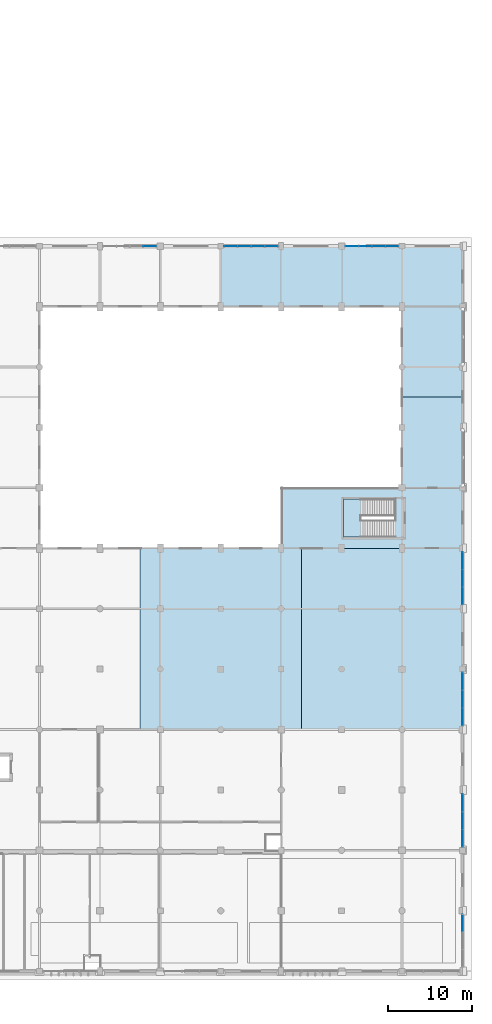
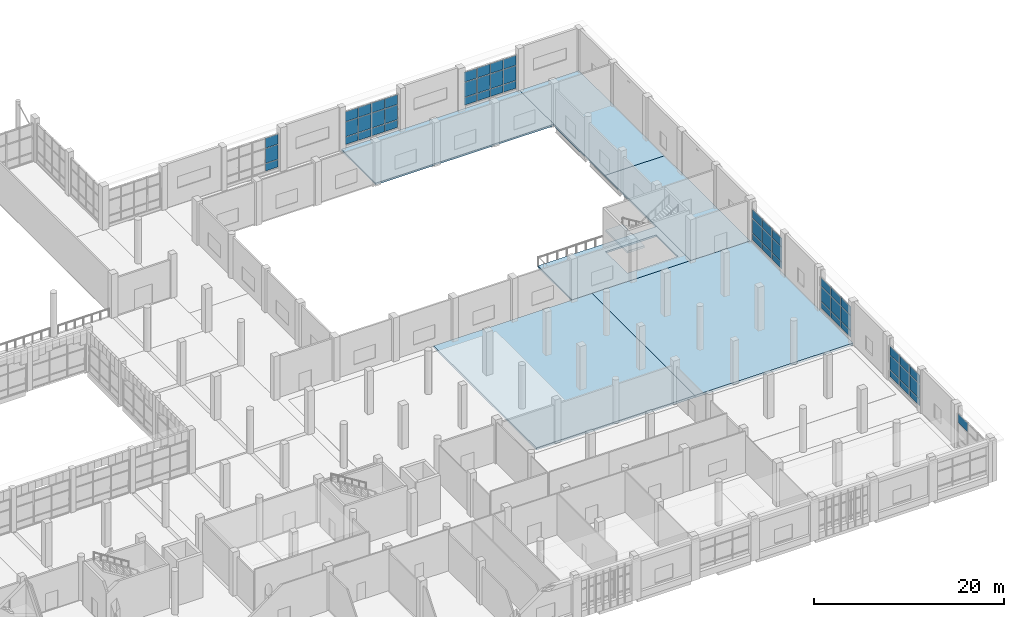
# One storey, part 43 of 80: 55 plates, 7 slabs, 8 elements without a shape of their own.
"""IFC4 building model written with IfcOpenShell, lengths in metres."""

import ifcopenshell
import ifcopenshell.guid

model = None  # the IFC model being written
_history = None  # IfcOwnerHistory: only IFC2X3 demands one
_inside = {}  # id of a spatial element -> (the spatial element, [elements in it])
_under = {}  # id of a project, library or spatial element -> (it, [spatial elements below it])
_declared = {}  # id of a project -> (the project, [libraries it declares])
_typed = {}  # id of a type object -> (the type object, [elements of that type])
_made_of = {}  # id of a material, layer set ... -> (it, [elements and type objects made of it])


def new_model(schema):
    """Start an empty IFC model of exactly this schema.

    Asked for "IFC4X3", IfcOpenShell would pick the latest addendum, in which some entities
    have other attributes; the version numbers below select the first issue.
    IFC2X3 requires an IfcOwnerHistory on every rooted entity: one is made here for all.
    """
    global model, _history
    if schema == "IFC4X3":
        model = ifcopenshell.file(schema_version=(4, 3, 0, 0))
    else:
        model = ifcopenshell.file(schema=schema)
    _inside.clear()
    _under.clear()
    _declared.clear()
    _typed.clear()
    _made_of.clear()
    _history = None
    if model.schema == "IFC2X3":
        org = make("IfcOrganization", Name="unknown")
        user = make(
            "IfcPersonAndOrganization",
            ThePerson=make("IfcPerson", FamilyName="unknown"),
            TheOrganization=org,
        )
        app = make(
            "IfcApplication",
            ApplicationDeveloper=org,
            Version="unknown",
            ApplicationFullName="unknown",
            ApplicationIdentifier="unknown",
        )
        _history = make(
            "IfcOwnerHistory",
            OwningUser=user,
            OwningApplication=app,
            ChangeAction="ADDED",
            CreationDate=0,
        )
    return model


def make(cls, **values):
    """One entity of the class cls with the attributes given. An attribute that is None is left unset."""
    return model.create_entity(
        cls, **{name: value for name, value in values.items() if value is not None}
    )


def rooted(cls, **values):
    """An entity with a GlobalId (a new one), such as an element, a storey or a relation."""
    return make(cls, GlobalId=ifcopenshell.guid.new(), OwnerHistory=_history, **values)


def si_unit(unit_type, name, prefix=None):
    """IfcSIUnit, for example si_unit("LENGTHUNIT", "METRE", prefix="MILLI")."""
    return make("IfcSIUnit", UnitType=unit_type, Prefix=prefix, Name=name)


def assignment(units):
    """IfcUnitAssignment: the units of a project."""
    return None if units is None else make("IfcUnitAssignment", Units=units)


def point(xyz):
    """IfcCartesianPoint."""
    return None if xyz is None else make("IfcCartesianPoint", Coordinates=xyz)


def direction(xyz):
    """IfcDirection."""
    return None if xyz is None else make("IfcDirection", DirectionRatios=xyz)


def frame(location, z_axis=None, x_axis=None):
    """IfcAxis2Placement3D, a coordinate frame: its origin and axes. An axis left out is left unset."""
    return make(
        "IfcAxis2Placement3D",
        Location=point(location),
        Axis=direction(z_axis),
        RefDirection=direction(x_axis),
    )


def frame_2d(location, x_axis=None):
    """IfcAxis2Placement2D, a coordinate frame in the plane: its origin and x axis."""
    return make(
        "IfcAxis2Placement2D", Location=point(location), RefDirection=direction(x_axis)
    )


def origin():
    """The frame at (0, 0, 0) with its axes left unset."""
    return frame((0.0, 0.0, 0.0))


def origin_2d():
    """The frame at (0, 0) in the plane with its x axis left unset."""
    return frame_2d((0.0, 0.0))


def place(relative_to, where):
    """IfcLocalPlacement: puts the frame where relative to a parent placement (None: the world)."""
    return make(
        "IfcLocalPlacement", PlacementRelTo=relative_to, RelativePlacement=where
    )


def context(
    kind, dimensions, precision=None, world=None, true_north=None, identifier=None
):
    """IfcGeometricRepresentationContext, for example the 3D "Model" context."""
    return make(
        "IfcGeometricRepresentationContext",
        ContextIdentifier=identifier,
        ContextType=kind,
        CoordinateSpaceDimension=dimensions,
        Precision=precision,
        WorldCoordinateSystem=world,
        TrueNorth=true_north,
    )


def subcontext(parent, identifier, kind, view, scale=None):
    """IfcGeometricRepresentationSubContext, for example "Body" below "Model"."""
    return make(
        "IfcGeometricRepresentationSubContext",
        ContextIdentifier=identifier,
        ContextType=kind,
        ParentContext=parent,
        TargetScale=scale,
        TargetView=view,
    )


def project(units=None, contexts=None):
    """IfcProject with its units and contexts."""
    return rooted(
        "IfcProject",
        Name="project",
        RepresentationContexts=contexts,
        UnitsInContext=assignment(units),
    )


def spatial(cls, under=None, at=None, **own):
    """A site, building, storey or space (cls), placed at a placement, below another one or the project."""
    s = rooted(cls, ObjectPlacement=at, **own)
    if under is not None:
        _under.setdefault(under.id(), (under, []))[1].append(s)
    return s


def polyline(points):
    """IfcPolyline through the points."""
    return make("IfcPolyline", Points=[point(p) for p in points])


def profile(cls, at=None, kind="AREA", **sizes):
    """A parametric profile (cls). Its sizes go by their IFC names, for example OverallWidth=200.0."""
    return make(cls, ProfileType=kind, Position=at, **sizes)


def rectangle(**sizes):
    """IfcRectangleProfileDef."""
    return profile("IfcRectangleProfileDef", **sizes)


def outline(outer, holes=None, kind="AREA"):
    """IfcArbitraryClosedProfileDef: a profile drawn as a closed curve; with holes, ...WithVoids."""
    if holes is None:
        return make("IfcArbitraryClosedProfileDef", ProfileType=kind, OuterCurve=outer)
    return make(
        "IfcArbitraryProfileDefWithVoids",
        ProfileType=kind,
        OuterCurve=outer,
        InnerCurves=holes,
    )


def extrude(swept, where, along, depth):
    """IfcExtrudedAreaSolid: the profile swept, set in the frame where, extruded along a direction by depth."""
    return make(
        "IfcExtrudedAreaSolid",
        SweptArea=swept,
        Position=where,
        ExtrudedDirection=direction(along),
        Depth=depth,
    )


def shape(context_of_items, identifier, shape_type, items):
    """IfcShapeRepresentation: the items that make up one representation, for example the "Body"."""
    return make(
        "IfcShapeRepresentation",
        ContextOfItems=context_of_items,
        RepresentationIdentifier=identifier,
        RepresentationType=shape_type,
        Items=items,
    )


def material(Name=None, Category=None):
    """IfcMaterial."""
    return make("IfcMaterial", Name=Name, Category=Category)


def layer(
    of_material, thickness, ventilated=None, Name=None, Category=None, Priority=None
):
    """IfcMaterialLayer: one layer of a wall or slab, of a material (None: an air gap)."""
    return make(
        "IfcMaterialLayer",
        Material=of_material,
        LayerThickness=thickness,
        IsVentilated=ventilated,
        Name=Name,
        Category=Category,
        Priority=Priority,
    )


def layer_set(layers, Name=None):
    """IfcMaterialLayerSet."""
    return make("IfcMaterialLayerSet", MaterialLayers=layers, LayerSetName=Name)


def made_of(thing, what):
    """Note that an element or type object is made of a material, layer set ...; save() writes the relation."""
    if what is not None:
        _made_of.setdefault(what.id(), (what, []))[1].append(thing)
    return thing


def type_object(cls, material=None, **own):
    """A type object (cls), such as IfcWallType, which elements share."""
    return made_of(rooted(cls, **own), material)


def element(
    cls,
    number,
    at=None,
    inside=None,
    cuts=None,
    type_object=None,
    material=None,
    context=None,
    identifier="Body",
    shape_type=None,
    held_by="IfcProductDefinitionShape",
    body=None,
    shapes=None,
    **own,
):
    """One element of the class cls, such as IfcWall. Its Tag is "e" and its number.

    at: its placement. inside: the storey or other place that contains it. cuts: it is an
    opening in that element (IfcRelVoidsElement). A single representation is given by context,
    identifier, shape_type and body (its items); several are given by shapes. held_by: the class
    of the entity that holds the representations. save() writes the other relations.
    """
    e = rooted(cls, Tag="e%d" % number, ObjectPlacement=at, **own)
    if body is not None:
        shapes = [shape(context, identifier, shape_type, body)]
    if shapes is not None:
        e.Representation = make(held_by, Representations=shapes)
    if inside is not None:
        _inside.setdefault(inside.id(), (inside, []))[1].append(e)
    if cuts is not None:
        rooted(
            "IfcRelVoidsElement", RelatingBuildingElement=cuts, RelatedOpeningElement=e
        )
    if type_object is not None:
        _typed.setdefault(type_object.id(), (type_object, []))[1].append(e)
    return made_of(e, material)


def aggregate(whole, parts):
    """IfcRelAggregates: a whole, such as a stair, and the parts it consists of."""
    return rooted("IfcRelAggregates", RelatingObject=whole, RelatedObjects=parts)


def save(model, path):
    """Write the relations noted so far, then the file.

    IfcRelAggregates (storeys below a building ...), IfcRelContainedInSpatialStructure (elements
    in a storey), IfcRelDefinesByType, IfcRelAssociatesMaterial and IfcRelDeclares: one each for
    every whole, place, type object, material and project.
    """
    for whole, parts in _under.values():
        aggregate(whole, parts)
    for where, things in _inside.values():
        rooted(
            "IfcRelContainedInSpatialStructure",
            RelatedElements=things,
            RelatingStructure=where,
        )
    for kind, things in _typed.values():
        rooted("IfcRelDefinesByType", RelatedObjects=things, RelatingType=kind)
    for what, things in _made_of.values():
        rooted("IfcRelAssociatesMaterial", RelatedObjects=things, RelatingMaterial=what)
    for by, libraries in _declared.values():
        rooted("IfcRelDeclares", RelatingContext=by, RelatedDefinitions=libraries)
    model.write(path)


model = new_model("IFC4")

# Units and contexts
model_context = context("Model", 3, precision=1e-05, world=origin(), true_north=direction((0.0, 1.0)))
body_context = subcontext(model_context, "Body", "Model", "MODEL_VIEW")
ifc_project = project(units=[si_unit("LENGTHUNIT", "METRE"), si_unit("AREAUNIT", "SQUARE_METRE"), si_unit("VOLUMEUNIT", "CUBIC_METRE"), si_unit("PLANEANGLEUNIT", "RADIAN"), si_unit("MASSUNIT", "GRAM", prefix="KILO")], contexts=[model_context])

# Site, building, storey
site_placement = place(None, origin())
site = spatial("IfcSite", under=ifc_project, at=site_placement, CompositionType="ELEMENT")
building_placement = place(site_placement, origin())
building = spatial("IfcBuilding", under=site, at=building_placement, Name="Sardonyx Promenade Sports Hall", CompositionType="ELEMENT")
storey_placement = place(building_placement, frame((0.0, 0.0, 5.60009765625)))
storey = spatial("IfcBuildingStorey", under=building, at=storey_placement, Name="L01", CompositionType="ELEMENT", Elevation=5.60009765625)

# Curtain wall, plates
ifc_material_1 = material(Name="Aluminium 6063-T6", Category="aluminium")
curtain_wall_type_1 = type_object("IfcCurtainWallType", Name="CW_EastWing_L01", PredefinedType="USERDEFINED", material=ifc_material_1)
curtain_wall_1_placement = place(storey_placement, origin())
curtain_wall_1 = element("IfcCurtainWall", 1, at=curtain_wall_1_placement, inside=storey, type_object=curtain_wall_type_1, Name="Curtain wall CW15 cw:L01:052", ObjectType="CURTAIN WALL", PredefinedType="USERDEFINED")
ifc_material_2 = material(Name="Double-glazed solar low-E IGU 28 mm", Category="glass")
ifc_layer_1 = layer(ifc_material_2, 0.028076171875)
ifc_layer_set_1 = layer_set([ifc_layer_1], Name="CW_Pan_Glz_28")
plate_type_1 = type_object("IfcPlateType", Name="CW_Pan_Glz_28", PredefinedType="CURTAIN_PANEL", material=ifc_layer_set_1)
plate_1_placement = place(storey_placement, frame((165.60009765625, 48.90673828125, 0.414794921875), z_axis=(0.0, 0.0, 1.0), x_axis=(0.0, -1.0, 0.0)))
plate_1 = element("IfcPlate", 2, at=plate_1_placement, type_object=plate_type_1, Name="Curtain panel CP01 cw:L01:052 #1", PredefinedType="CURTAIN_PANEL", context=body_context, shape_type="SweptSolid", body=[
    extrude(rectangle(XDim=2.0166015625, YDim=0.028076171875, at=origin_2d()), origin(), (0.0, 0.0, 1.0), 0.8525390625),
])
plate_2_placement = place(storey_placement, frame((165.60009765625, 48.90673828125, 1.33251953125), z_axis=(0.0, 0.0, 1.0), x_axis=(0.0, -1.0, 0.0)))
plate_2 = element("IfcPlate", 3, at=plate_2_placement, type_object=plate_type_1, Name="Curtain panel CP01 cw:L01:052 #2", PredefinedType="CURTAIN_PANEL", context=body_context, shape_type="SweptSolid", body=[
    extrude(rectangle(XDim=2.0166015625, YDim=0.028076171875, at=origin_2d()), origin(), (0.0, 0.0, 1.0), 1.8349609375),
])
plate_3_placement = place(storey_placement, frame((165.60009765625, 48.90673828125, 3.232421875), z_axis=(0.0, 0.0, 1.0), x_axis=(0.0, -1.0, 0.0)))
plate_3 = element("IfcPlate", 4, at=plate_3_placement, type_object=plate_type_1, Name="Curtain panel CP01 cw:L01:052 #3", PredefinedType="CURTAIN_PANEL", context=body_context, shape_type="SweptSolid", body=[
    extrude(rectangle(XDim=2.0166015625, YDim=0.028076171875, at=origin_2d()), origin(), (0.0, 0.0, 1.0), 1.1025390625),
])
plate_4_placement = place(storey_placement, frame((165.60009765625, 46.824951171875, 0.414794921875), z_axis=(0.0, 0.0, 1.0), x_axis=(0.0, -1.0, 0.0)))
plate_4 = element("IfcPlate", 5, at=plate_4_placement, type_object=plate_type_1, Name="Curtain panel CP01 cw:L01:052 #4", PredefinedType="CURTAIN_PANEL", context=body_context, shape_type="SweptSolid", body=[
    extrude(rectangle(XDim=2.0166015625, YDim=0.028076171875, at=origin_2d()), origin(), (0.0, 0.0, 1.0), 0.8525390625),
])
plate_5_placement = place(storey_placement, frame((165.60009765625, 46.824951171875, 1.33251953125), z_axis=(0.0, 0.0, 1.0), x_axis=(0.0, -1.0, 0.0)))
plate_5 = element("IfcPlate", 6, at=plate_5_placement, type_object=plate_type_1, Name="Curtain panel CP01 cw:L01:052 #5", PredefinedType="CURTAIN_PANEL", context=body_context, shape_type="SweptSolid", body=[
    extrude(rectangle(XDim=2.0166015625, YDim=0.028076171875, at=origin_2d()), origin(), (0.0, 0.0, 1.0), 1.8349609375),
])
plate_6_placement = place(storey_placement, frame((165.60009765625, 46.824951171875, 3.232421875), z_axis=(0.0, 0.0, 1.0), x_axis=(0.0, -1.0, 0.0)))
plate_6 = element("IfcPlate", 7, at=plate_6_placement, type_object=plate_type_1, Name="Curtain panel CP01 cw:L01:052 #6", PredefinedType="CURTAIN_PANEL", context=body_context, shape_type="SweptSolid", body=[
    extrude(rectangle(XDim=2.0166015625, YDim=0.028076171875, at=origin_2d()), origin(), (0.0, 0.0, 1.0), 1.1025390625),
])
plate_7_placement = place(storey_placement, frame((165.60009765625, 44.743408203125, 0.414794921875), z_axis=(0.0, 0.0, 1.0), x_axis=(0.0, -1.0, 0.0)))
plate_7 = element("IfcPlate", 8, at=plate_7_placement, type_object=plate_type_1, Name="Curtain panel CP01 cw:L01:052 #7", PredefinedType="CURTAIN_PANEL", context=body_context, shape_type="SweptSolid", body=[
    extrude(rectangle(XDim=2.0166015625, YDim=0.028076171875, at=origin_2d()), origin(), (0.0, 0.0, 1.0), 0.8525390625),
])
plate_8_placement = place(storey_placement, frame((165.60009765625, 44.743408203125, 1.33251953125), z_axis=(0.0, 0.0, 1.0), x_axis=(0.0, -1.0, 0.0)))
plate_8 = element("IfcPlate", 9, at=plate_8_placement, type_object=plate_type_1, Name="Curtain panel CP01 cw:L01:052 #8", PredefinedType="CURTAIN_PANEL", context=body_context, shape_type="SweptSolid", body=[
    extrude(rectangle(XDim=2.0166015625, YDim=0.028076171875, at=origin_2d()), origin(), (0.0, 0.0, 1.0), 1.8349609375),
])
plate_9_placement = place(storey_placement, frame((165.60009765625, 44.743408203125, 3.232421875), z_axis=(0.0, 0.0, 1.0), x_axis=(0.0, -1.0, 0.0)))
plate_9 = element("IfcPlate", 10, at=plate_9_placement, type_object=plate_type_1, Name="Curtain panel CP01 cw:L01:052 #9", PredefinedType="CURTAIN_PANEL", context=body_context, shape_type="SweptSolid", body=[
    extrude(rectangle(XDim=2.0166015625, YDim=0.028076171875, at=origin_2d()), origin(), (0.0, 0.0, 1.0), 1.1025390625),
])
aggregate(curtain_wall_1, [plate_1, plate_2, plate_3, plate_4, plate_5, plate_6, plate_7, plate_8, plate_9])

curtain_wall_2_placement = place(storey_placement, origin())
curtain_wall_2 = element("IfcCurtainWall", 11, at=curtain_wall_2_placement, inside=storey, type_object=curtain_wall_type_1, Name="Curtain wall CW15 cw:L01:053", ObjectType="CURTAIN WALL", PredefinedType="USERDEFINED")
plate_10_placement = place(storey_placement, frame((165.60009765625, 34.5400390625, 0.414794921875), z_axis=(0.0, 0.0, 1.0), x_axis=(0.0, -1.0, 0.0)))
plate_10 = element("IfcPlate", 12, at=plate_10_placement, type_object=plate_type_1, Name="Curtain panel CP01 cw:L01:053 #1", PredefinedType="CURTAIN_PANEL", context=body_context, shape_type="SweptSolid", body=[
    extrude(rectangle(XDim=2.050048828125, YDim=0.028076171875, at=origin_2d()), origin(), (0.0, 0.0, 1.0), 0.8525390625),
])
plate_11_placement = place(storey_placement, frame((165.60009765625, 34.5400390625, 1.33251953125), z_axis=(0.0, 0.0, 1.0), x_axis=(0.0, -1.0, 0.0)))
plate_11 = element("IfcPlate", 13, at=plate_11_placement, type_object=plate_type_1, Name="Curtain panel CP01 cw:L01:053 #2", PredefinedType="CURTAIN_PANEL", context=body_context, shape_type="SweptSolid", body=[
    extrude(rectangle(XDim=2.050048828125, YDim=0.028076171875, at=origin_2d()), origin(), (0.0, 0.0, 1.0), 1.8349609375),
])
plate_12_placement = place(storey_placement, frame((165.60009765625, 34.5400390625, 3.232421875), z_axis=(0.0, 0.0, 1.0), x_axis=(0.0, -1.0, 0.0)))
plate_12 = element("IfcPlate", 14, at=plate_12_placement, type_object=plate_type_1, Name="Curtain panel CP01 cw:L01:053 #3", PredefinedType="CURTAIN_PANEL", context=body_context, shape_type="SweptSolid", body=[
    extrude(rectangle(XDim=2.050048828125, YDim=0.028076171875, at=origin_2d()), origin(), (0.0, 0.0, 1.0), 1.1025390625),
])
plate_13_placement = place(storey_placement, frame((165.60009765625, 32.425048828125, 0.414794921875), z_axis=(0.0, 0.0, 1.0), x_axis=(0.0, -1.0, 0.0)))
plate_13 = element("IfcPlate", 15, at=plate_13_placement, type_object=plate_type_1, Name="Curtain panel CP01 cw:L01:053 #4", PredefinedType="CURTAIN_PANEL", context=body_context, shape_type="SweptSolid", body=[
    extrude(rectangle(XDim=2.050048828125, YDim=0.028076171875, at=origin_2d()), origin(), (0.0, 0.0, 1.0), 0.8525390625),
])
plate_14_placement = place(storey_placement, frame((165.60009765625, 32.425048828125, 1.33251953125), z_axis=(0.0, 0.0, 1.0), x_axis=(0.0, -1.0, 0.0)))
plate_14 = element("IfcPlate", 16, at=plate_14_placement, type_object=plate_type_1, Name="Curtain panel CP01 cw:L01:053 #5", PredefinedType="CURTAIN_PANEL", context=body_context, shape_type="SweptSolid", body=[
    extrude(rectangle(XDim=2.050048828125, YDim=0.028076171875, at=origin_2d()), origin(), (0.0, 0.0, 1.0), 1.8349609375),
])
plate_15_placement = place(storey_placement, frame((165.60009765625, 32.425048828125, 3.232421875), z_axis=(0.0, 0.0, 1.0), x_axis=(0.0, -1.0, 0.0)))
plate_15 = element("IfcPlate", 17, at=plate_15_placement, type_object=plate_type_1, Name="Curtain panel CP01 cw:L01:053 #6", PredefinedType="CURTAIN_PANEL", context=body_context, shape_type="SweptSolid", body=[
    extrude(rectangle(XDim=2.050048828125, YDim=0.028076171875, at=origin_2d()), origin(), (0.0, 0.0, 1.0), 1.1025390625),
])
plate_16_placement = place(storey_placement, frame((165.60009765625, 30.31005859375, 0.414794921875), z_axis=(0.0, 0.0, 1.0), x_axis=(0.0, -1.0, 0.0)))
plate_16 = element("IfcPlate", 18, at=plate_16_placement, type_object=plate_type_1, Name="Curtain panel CP01 cw:L01:053 #7", PredefinedType="CURTAIN_PANEL", context=body_context, shape_type="SweptSolid", body=[
    extrude(rectangle(XDim=2.050048828125, YDim=0.028076171875, at=origin_2d()), origin(), (0.0, 0.0, 1.0), 0.8525390625),
])
plate_17_placement = place(storey_placement, frame((165.60009765625, 30.31005859375, 1.33251953125), z_axis=(0.0, 0.0, 1.0), x_axis=(0.0, -1.0, 0.0)))
plate_17 = element("IfcPlate", 19, at=plate_17_placement, type_object=plate_type_1, Name="Curtain panel CP01 cw:L01:053 #8", PredefinedType="CURTAIN_PANEL", context=body_context, shape_type="SweptSolid", body=[
    extrude(rectangle(XDim=2.050048828125, YDim=0.028076171875, at=origin_2d()), origin(), (0.0, 0.0, 1.0), 1.8349609375),
])
plate_18_placement = place(storey_placement, frame((165.60009765625, 30.31005859375, 3.232421875), z_axis=(0.0, 0.0, 1.0), x_axis=(0.0, -1.0, 0.0)))
plate_18 = element("IfcPlate", 20, at=plate_18_placement, type_object=plate_type_1, Name="Curtain panel CP01 cw:L01:053 #9", PredefinedType="CURTAIN_PANEL", context=body_context, shape_type="SweptSolid", body=[
    extrude(rectangle(XDim=2.050048828125, YDim=0.028076171875, at=origin_2d()), origin(), (0.0, 0.0, 1.0), 1.1025390625),
])
aggregate(curtain_wall_2, [plate_10, plate_11, plate_12, plate_13, plate_14, plate_15, plate_16, plate_17, plate_18])

curtain_wall_3_placement = place(storey_placement, origin())
curtain_wall_3 = element("IfcCurtainWall", 21, at=curtain_wall_3_placement, inside=storey, type_object=curtain_wall_type_1, Name="Curtain wall CW15 cw:L01:054", ObjectType="CURTAIN WALL", PredefinedType="USERDEFINED")
plate_19_placement = place(storey_placement, frame((165.60009765625, 20.04833984375, 0.414794921875), z_axis=(0.0, 0.0, 1.0), x_axis=(0.0, -1.0, 0.0)))
plate_19 = element("IfcPlate", 22, at=plate_19_placement, type_object=plate_type_1, Name="Curtain panel CP01 cw:L01:054 #1", PredefinedType="CURTAIN_PANEL", context=body_context, shape_type="SweptSolid", body=[
    extrude(rectangle(XDim=2.033447265625, YDim=0.028076171875, at=origin_2d()), origin(), (0.0, 0.0, 1.0), 0.8525390625),
])
plate_20_placement = place(storey_placement, frame((165.60009765625, 20.04833984375, 1.33251953125), z_axis=(0.0, 0.0, 1.0), x_axis=(0.0, -1.0, 0.0)))
plate_20 = element("IfcPlate", 23, at=plate_20_placement, type_object=plate_type_1, Name="Curtain panel CP01 cw:L01:054 #2", PredefinedType="CURTAIN_PANEL", context=body_context, shape_type="SweptSolid", body=[
    extrude(rectangle(XDim=2.033447265625, YDim=0.028076171875, at=origin_2d()), origin(), (0.0, 0.0, 1.0), 1.8349609375),
])
plate_21_placement = place(storey_placement, frame((165.60009765625, 20.04833984375, 3.232421875), z_axis=(0.0, 0.0, 1.0), x_axis=(0.0, -1.0, 0.0)))
plate_21 = element("IfcPlate", 24, at=plate_21_placement, type_object=plate_type_1, Name="Curtain panel CP01 cw:L01:054 #3", PredefinedType="CURTAIN_PANEL", context=body_context, shape_type="SweptSolid", body=[
    extrude(rectangle(XDim=2.033447265625, YDim=0.028076171875, at=origin_2d()), origin(), (0.0, 0.0, 1.0), 1.1025390625),
])
plate_22_placement = place(storey_placement, frame((165.60009765625, 17.949951171875, 0.414794921875), z_axis=(0.0, 0.0, 1.0), x_axis=(0.0, -1.0, 0.0)))
plate_22 = element("IfcPlate", 25, at=plate_22_placement, type_object=plate_type_1, Name="Curtain panel CP01 cw:L01:054 #4", PredefinedType="CURTAIN_PANEL", context=body_context, shape_type="SweptSolid", body=[
    extrude(rectangle(XDim=2.033447265625, YDim=0.028076171875, at=origin_2d()), origin(), (0.0, 0.0, 1.0), 0.8525390625),
])
plate_23_placement = place(storey_placement, frame((165.60009765625, 17.949951171875, 1.33251953125), z_axis=(0.0, 0.0, 1.0), x_axis=(0.0, -1.0, 0.0)))
plate_23 = element("IfcPlate", 26, at=plate_23_placement, type_object=plate_type_1, Name="Curtain panel CP01 cw:L01:054 #5", PredefinedType="CURTAIN_PANEL", context=body_context, shape_type="SweptSolid", body=[
    extrude(rectangle(XDim=2.033447265625, YDim=0.028076171875, at=origin_2d()), origin(), (0.0, 0.0, 1.0), 1.8349609375),
])
plate_24_placement = place(storey_placement, frame((165.60009765625, 17.949951171875, 3.232421875), z_axis=(0.0, 0.0, 1.0), x_axis=(0.0, -1.0, 0.0)))
plate_24 = element("IfcPlate", 27, at=plate_24_placement, type_object=plate_type_1, Name="Curtain panel CP01 cw:L01:054 #6", PredefinedType="CURTAIN_PANEL", context=body_context, shape_type="SweptSolid", body=[
    extrude(rectangle(XDim=2.033447265625, YDim=0.028076171875, at=origin_2d()), origin(), (0.0, 0.0, 1.0), 1.1025390625),
])
plate_25_placement = place(storey_placement, frame((165.60009765625, 15.8515625, 0.414794921875), z_axis=(0.0, 0.0, 1.0), x_axis=(0.0, -1.0, 0.0)))
plate_25 = element("IfcPlate", 28, at=plate_25_placement, type_object=plate_type_1, Name="Curtain panel CP01 cw:L01:054 #7", PredefinedType="CURTAIN_PANEL", context=body_context, shape_type="SweptSolid", body=[
    extrude(rectangle(XDim=2.033447265625, YDim=0.028076171875, at=origin_2d()), origin(), (0.0, 0.0, 1.0), 0.8525390625),
])
plate_26_placement = place(storey_placement, frame((165.60009765625, 15.8515625, 1.33251953125), z_axis=(0.0, 0.0, 1.0), x_axis=(0.0, -1.0, 0.0)))
plate_26 = element("IfcPlate", 29, at=plate_26_placement, type_object=plate_type_1, Name="Curtain panel CP01 cw:L01:054 #8", PredefinedType="CURTAIN_PANEL", context=body_context, shape_type="SweptSolid", body=[
    extrude(rectangle(XDim=2.033447265625, YDim=0.028076171875, at=origin_2d()), origin(), (0.0, 0.0, 1.0), 1.8349609375),
])
plate_27_placement = place(storey_placement, frame((165.60009765625, 15.8515625, 3.232421875), z_axis=(0.0, 0.0, 1.0), x_axis=(0.0, -1.0, 0.0)))
plate_27 = element("IfcPlate", 30, at=plate_27_placement, type_object=plate_type_1, Name="Curtain panel CP01 cw:L01:054 #9", PredefinedType="CURTAIN_PANEL", context=body_context, shape_type="SweptSolid", body=[
    extrude(rectangle(XDim=2.033447265625, YDim=0.028076171875, at=origin_2d()), origin(), (0.0, 0.0, 1.0), 1.1025390625),
])
aggregate(curtain_wall_3, [plate_19, plate_20, plate_21, plate_22, plate_23, plate_24, plate_25, plate_26, plate_27])

# Curtain wall, plate
curtain_wall_4_placement = place(storey_placement, origin())
curtain_wall_4 = element("IfcCurtainWall", 31, at=curtain_wall_4_placement, inside=storey, type_object=curtain_wall_type_1, Name="Curtain wall CW15 cw:L01:055", ObjectType="CURTAIN WALL", PredefinedType="USERDEFINED")
plate_28_placement = place(storey_placement, frame((165.60009765625, 5.706787109375, 3.232421875), z_axis=(0.0, 0.0, 1.0), x_axis=(0.0, -1.0, 0.0)))
plate_28 = element("IfcPlate", 32, at=plate_28_placement, type_object=plate_type_1, Name="Curtain panel CP01 cw:L01:055 #3", PredefinedType="CURTAIN_PANEL", context=body_context, shape_type="SweptSolid", body=[
    extrude(rectangle(XDim=2.0166015625, YDim=0.028076171875, at=origin_2d()), origin(), (0.0, 0.0, 1.0), 1.1025390625),
])
aggregate(curtain_wall_4, [plate_28])

# Curtain wall, plates
ifc_material_3 = material(Name="Aluminium 6063-T6", Category="aluminium")
curtain_wall_type_2 = type_object("IfcCurtainWallType", Name="CW_Prac_North_L01", PredefinedType="USERDEFINED", material=ifc_material_3)
curtain_wall_5_placement = place(storey_placement, origin())
curtain_wall_5 = element("IfcCurtainWall", 33, at=curtain_wall_5_placement, inside=storey, type_object=curtain_wall_type_2, Name="Curtain wall CW04 cw:L01:104", ObjectType="CURTAIN WALL", PredefinedType="USERDEFINED")
ifc_material_4 = material(Name="Laminated safety sports IGU 36 mm", Category="glass")
ifc_layer_2 = layer(ifc_material_4, 0.035888671875)
ifc_layer_set_2 = layer_set([ifc_layer_2], Name="CW_Pan_Glz_36")
plate_type_2 = type_object("IfcPlateType", Name="CW_Pan_Glz_36", PredefinedType="CURTAIN_PANEL", material=ifc_layer_set_2)
plate_29_placement = place(storey_placement, frame((128.34619140625, 86.39990234375, 0.419921875), z_axis=(0.0, 0.0, 1.0), x_axis=(1.0, 0.0, 0.0)))
plate_29 = element("IfcPlate", 34, at=plate_29_placement, type_object=plate_type_2, Name="Curtain panel CP03 cw:L01:104 #10", PredefinedType="CURTAIN_PANEL", context=body_context, shape_type="SweptSolid", body=[
    extrude(rectangle(XDim=1.527587890625, YDim=0.035888671875, at=origin_2d()), origin(), (0.0, 0.0, 1.0), 0.945068359375),
])
plate_30_placement = place(storey_placement, frame((128.34619140625, 86.39990234375, 1.43505859375), z_axis=(0.0, 0.0, 1.0), x_axis=(1.0, 0.0, 0.0)))
plate_30 = element("IfcPlate", 35, at=plate_30_placement, type_object=plate_type_2, Name="Curtain panel CP03 cw:L01:104 #11", PredefinedType="CURTAIN_PANEL", context=body_context, shape_type="SweptSolid", body=[
    extrude(rectangle(XDim=1.527587890625, YDim=0.035888671875, at=origin_2d()), origin(), (0.0, 0.0, 1.0), 1.8798828125),
])
plate_31_placement = place(storey_placement, frame((128.34619140625, 86.39990234375, 3.384765625), z_axis=(0.0, 0.0, 1.0), x_axis=(1.0, 0.0, 0.0)))
plate_31 = element("IfcPlate", 36, at=plate_31_placement, type_object=plate_type_2, Name="Curtain panel CP03 cw:L01:104 #12", PredefinedType="CURTAIN_PANEL", context=body_context, shape_type="SweptSolid", body=[
    extrude(rectangle(XDim=1.527587890625, YDim=0.035888671875, at=origin_2d()), origin(), (0.0, 0.0, 1.0), 1.2451171875),
])
aggregate(curtain_wall_5, [plate_29, plate_30, plate_31])

curtain_wall_6_placement = place(storey_placement, origin())
curtain_wall_6 = element("IfcCurtainWall", 37, at=curtain_wall_6_placement, inside=storey, type_object=curtain_wall_type_2, Name="Curtain wall CW04 cw:L01:105", ObjectType="CURTAIN WALL", PredefinedType="USERDEFINED")
plate_32_placement = place(storey_placement, frame((138.010009765625, 86.39990234375, 0.419921875), z_axis=(0.0, 0.0, 1.0), x_axis=(1.0, 0.0, 0.0)))
plate_32 = element("IfcPlate", 38, at=plate_32_placement, type_object=plate_type_2, Name="Curtain panel CP03 cw:L01:105 #1", PredefinedType="CURTAIN_PANEL", context=body_context, shape_type="SweptSolid", body=[
    extrude(rectangle(XDim=1.5400390625, YDim=0.035888671875, at=origin_2d()), origin(), (0.0, 0.0, 1.0), 0.945068359375),
])
plate_33_placement = place(storey_placement, frame((138.010009765625, 86.39990234375, 1.43505859375), z_axis=(0.0, 0.0, 1.0), x_axis=(1.0, 0.0, 0.0)))
plate_33 = element("IfcPlate", 39, at=plate_33_placement, type_object=plate_type_2, Name="Curtain panel CP03 cw:L01:105 #2", PredefinedType="CURTAIN_PANEL", context=body_context, shape_type="SweptSolid", body=[
    extrude(rectangle(XDim=1.5400390625, YDim=0.035888671875, at=origin_2d()), origin(), (0.0, 0.0, 1.0), 1.8798828125),
])
plate_34_placement = place(storey_placement, frame((138.010009765625, 86.39990234375, 3.384765625), z_axis=(0.0, 0.0, 1.0), x_axis=(1.0, 0.0, 0.0)))
plate_34 = element("IfcPlate", 40, at=plate_34_placement, type_object=plate_type_2, Name="Curtain panel CP03 cw:L01:105 #3", PredefinedType="CURTAIN_PANEL", context=body_context, shape_type="SweptSolid", body=[
    extrude(rectangle(XDim=1.5400390625, YDim=0.035888671875, at=origin_2d()), origin(), (0.0, 0.0, 1.0), 1.2451171875),
])
plate_35_placement = place(storey_placement, frame((139.6201171875, 86.39990234375, 0.419921875), z_axis=(0.0, 0.0, 1.0), x_axis=(1.0, 0.0, 0.0)))
plate_35 = element("IfcPlate", 41, at=plate_35_placement, type_object=plate_type_2, Name="Curtain panel CP03 cw:L01:105 #4", PredefinedType="CURTAIN_PANEL", context=body_context, shape_type="SweptSolid", body=[
    extrude(rectangle(XDim=1.5400390625, YDim=0.035888671875, at=origin_2d()), origin(), (0.0, 0.0, 1.0), 0.945068359375),
])
plate_36_placement = place(storey_placement, frame((139.6201171875, 86.39990234375, 1.43505859375), z_axis=(0.0, 0.0, 1.0), x_axis=(1.0, 0.0, 0.0)))
plate_36 = element("IfcPlate", 42, at=plate_36_placement, type_object=plate_type_2, Name="Curtain panel CP03 cw:L01:105 #5", PredefinedType="CURTAIN_PANEL", context=body_context, shape_type="SweptSolid", body=[
    extrude(rectangle(XDim=1.5400390625, YDim=0.035888671875, at=origin_2d()), origin(), (0.0, 0.0, 1.0), 1.8798828125),
])
plate_37_placement = place(storey_placement, frame((139.6201171875, 86.39990234375, 3.384765625), z_axis=(0.0, 0.0, 1.0), x_axis=(1.0, 0.0, 0.0)))
plate_37 = element("IfcPlate", 43, at=plate_37_placement, type_object=plate_type_2, Name="Curtain panel CP03 cw:L01:105 #6", PredefinedType="CURTAIN_PANEL", context=body_context, shape_type="SweptSolid", body=[
    extrude(rectangle(XDim=1.5400390625, YDim=0.035888671875, at=origin_2d()), origin(), (0.0, 0.0, 1.0), 1.2451171875),
])
plate_38_placement = place(storey_placement, frame((141.22998046875, 86.39990234375, 0.419921875), z_axis=(0.0, 0.0, 1.0), x_axis=(1.0, 0.0, 0.0)))
plate_38 = element("IfcPlate", 44, at=plate_38_placement, type_object=plate_type_2, Name="Curtain panel CP03 cw:L01:105 #7", PredefinedType="CURTAIN_PANEL", context=body_context, shape_type="SweptSolid", body=[
    extrude(rectangle(XDim=1.5400390625, YDim=0.035888671875, at=origin_2d()), origin(), (0.0, 0.0, 1.0), 0.945068359375),
])
plate_39_placement = place(storey_placement, frame((141.22998046875, 86.39990234375, 1.43505859375), z_axis=(0.0, 0.0, 1.0), x_axis=(1.0, 0.0, 0.0)))
plate_39 = element("IfcPlate", 45, at=plate_39_placement, type_object=plate_type_2, Name="Curtain panel CP03 cw:L01:105 #8", PredefinedType="CURTAIN_PANEL", context=body_context, shape_type="SweptSolid", body=[
    extrude(rectangle(XDim=1.5400390625, YDim=0.035888671875, at=origin_2d()), origin(), (0.0, 0.0, 1.0), 1.8798828125),
])
plate_40_placement = place(storey_placement, frame((141.22998046875, 86.39990234375, 3.384765625), z_axis=(0.0, 0.0, 1.0), x_axis=(1.0, 0.0, 0.0)))
plate_40 = element("IfcPlate", 46, at=plate_40_placement, type_object=plate_type_2, Name="Curtain panel CP03 cw:L01:105 #9", PredefinedType="CURTAIN_PANEL", context=body_context, shape_type="SweptSolid", body=[
    extrude(rectangle(XDim=1.5400390625, YDim=0.035888671875, at=origin_2d()), origin(), (0.0, 0.0, 1.0), 1.2451171875),
])
plate_41_placement = place(storey_placement, frame((142.840087890625, 86.39990234375, 0.419921875), z_axis=(0.0, 0.0, 1.0), x_axis=(1.0, 0.0, 0.0)))
plate_41 = element("IfcPlate", 47, at=plate_41_placement, type_object=plate_type_2, Name="Curtain panel CP03 cw:L01:105 #10", PredefinedType="CURTAIN_PANEL", context=body_context, shape_type="SweptSolid", body=[
    extrude(rectangle(XDim=1.5400390625, YDim=0.035888671875, at=origin_2d()), origin(), (0.0, 0.0, 1.0), 0.945068359375),
])
plate_42_placement = place(storey_placement, frame((142.840087890625, 86.39990234375, 1.43505859375), z_axis=(0.0, 0.0, 1.0), x_axis=(1.0, 0.0, 0.0)))
plate_42 = element("IfcPlate", 48, at=plate_42_placement, type_object=plate_type_2, Name="Curtain panel CP03 cw:L01:105 #11", PredefinedType="CURTAIN_PANEL", context=body_context, shape_type="SweptSolid", body=[
    extrude(rectangle(XDim=1.5400390625, YDim=0.035888671875, at=origin_2d()), origin(), (0.0, 0.0, 1.0), 1.8798828125),
])
plate_43_placement = place(storey_placement, frame((142.840087890625, 86.39990234375, 3.384765625), z_axis=(0.0, 0.0, 1.0), x_axis=(1.0, 0.0, 0.0)))
plate_43 = element("IfcPlate", 49, at=plate_43_placement, type_object=plate_type_2, Name="Curtain panel CP03 cw:L01:105 #12", PredefinedType="CURTAIN_PANEL", context=body_context, shape_type="SweptSolid", body=[
    extrude(rectangle(XDim=1.5400390625, YDim=0.035888671875, at=origin_2d()), origin(), (0.0, 0.0, 1.0), 1.2451171875),
])
aggregate(curtain_wall_6, [plate_32, plate_33, plate_34, plate_35, plate_36, plate_37, plate_38, plate_39, plate_40, plate_41, plate_42, plate_43])

curtain_wall_7_placement = place(storey_placement, origin())
curtain_wall_7 = element("IfcCurtainWall", 50, at=curtain_wall_7_placement, inside=storey, type_object=curtain_wall_type_2, Name="Curtain wall CW04 cw:L01:106", ObjectType="CURTAIN WALL", PredefinedType="USERDEFINED")
plate_44_placement = place(storey_placement, frame((152.447509765625, 86.39990234375, 0.419921875), z_axis=(0.0, 0.0, 1.0), x_axis=(1.0, 0.0, 0.0)))
plate_44 = element("IfcPlate", 51, at=plate_44_placement, type_object=plate_type_2, Name="Curtain panel CP03 cw:L01:106 #1", PredefinedType="CURTAIN_PANEL", context=body_context, shape_type="SweptSolid", body=[
    extrude(rectangle(XDim=1.514892578125, YDim=0.035888671875, at=origin_2d()), origin(), (0.0, 0.0, 1.0), 0.945068359375),
])
plate_45_placement = place(storey_placement, frame((152.447509765625, 86.39990234375, 1.43505859375), z_axis=(0.0, 0.0, 1.0), x_axis=(1.0, 0.0, 0.0)))
plate_45 = element("IfcPlate", 52, at=plate_45_placement, type_object=plate_type_2, Name="Curtain panel CP03 cw:L01:106 #2", PredefinedType="CURTAIN_PANEL", context=body_context, shape_type="SweptSolid", body=[
    extrude(rectangle(XDim=1.514892578125, YDim=0.035888671875, at=origin_2d()), origin(), (0.0, 0.0, 1.0), 1.8798828125),
])
plate_46_placement = place(storey_placement, frame((152.447509765625, 86.39990234375, 3.384765625), z_axis=(0.0, 0.0, 1.0), x_axis=(1.0, 0.0, 0.0)))
plate_46 = element("IfcPlate", 53, at=plate_46_placement, type_object=plate_type_2, Name="Curtain panel CP03 cw:L01:106 #3", PredefinedType="CURTAIN_PANEL", context=body_context, shape_type="SweptSolid", body=[
    extrude(rectangle(XDim=1.514892578125, YDim=0.035888671875, at=origin_2d()), origin(), (0.0, 0.0, 1.0), 1.2451171875),
])
plate_47_placement = place(storey_placement, frame((154.032470703125, 86.39990234375, 0.419921875), z_axis=(0.0, 0.0, 1.0), x_axis=(1.0, 0.0, 0.0)))
plate_47 = element("IfcPlate", 54, at=plate_47_placement, type_object=plate_type_2, Name="Curtain panel CP03 cw:L01:106 #4", PredefinedType="CURTAIN_PANEL", context=body_context, shape_type="SweptSolid", body=[
    extrude(rectangle(XDim=1.514892578125, YDim=0.035888671875, at=origin_2d()), origin(), (0.0, 0.0, 1.0), 0.945068359375),
])
plate_48_placement = place(storey_placement, frame((154.032470703125, 86.39990234375, 1.43505859375), z_axis=(0.0, 0.0, 1.0), x_axis=(1.0, 0.0, 0.0)))
plate_48 = element("IfcPlate", 55, at=plate_48_placement, type_object=plate_type_2, Name="Curtain panel CP03 cw:L01:106 #5", PredefinedType="CURTAIN_PANEL", context=body_context, shape_type="SweptSolid", body=[
    extrude(rectangle(XDim=1.514892578125, YDim=0.035888671875, at=origin_2d()), origin(), (0.0, 0.0, 1.0), 1.8798828125),
])
plate_49_placement = place(storey_placement, frame((154.032470703125, 86.39990234375, 3.384765625), z_axis=(0.0, 0.0, 1.0), x_axis=(1.0, 0.0, 0.0)))
plate_49 = element("IfcPlate", 56, at=plate_49_placement, type_object=plate_type_2, Name="Curtain panel CP03 cw:L01:106 #6", PredefinedType="CURTAIN_PANEL", context=body_context, shape_type="SweptSolid", body=[
    extrude(rectangle(XDim=1.514892578125, YDim=0.035888671875, at=origin_2d()), origin(), (0.0, 0.0, 1.0), 1.2451171875),
])
plate_50_placement = place(storey_placement, frame((155.617431640625, 86.39990234375, 0.419921875), z_axis=(0.0, 0.0, 1.0), x_axis=(1.0, 0.0, 0.0)))
plate_50 = element("IfcPlate", 57, at=plate_50_placement, type_object=plate_type_2, Name="Curtain panel CP03 cw:L01:106 #7", PredefinedType="CURTAIN_PANEL", context=body_context, shape_type="SweptSolid", body=[
    extrude(rectangle(XDim=1.514892578125, YDim=0.035888671875, at=origin_2d()), origin(), (0.0, 0.0, 1.0), 0.945068359375),
])
plate_51_placement = place(storey_placement, frame((155.617431640625, 86.39990234375, 1.43505859375), z_axis=(0.0, 0.0, 1.0), x_axis=(1.0, 0.0, 0.0)))
plate_51 = element("IfcPlate", 58, at=plate_51_placement, type_object=plate_type_2, Name="Curtain panel CP03 cw:L01:106 #8", PredefinedType="CURTAIN_PANEL", context=body_context, shape_type="SweptSolid", body=[
    extrude(rectangle(XDim=1.514892578125, YDim=0.035888671875, at=origin_2d()), origin(), (0.0, 0.0, 1.0), 1.8798828125),
])
plate_52_placement = place(storey_placement, frame((155.617431640625, 86.39990234375, 3.384765625), z_axis=(0.0, 0.0, 1.0), x_axis=(1.0, 0.0, 0.0)))
plate_52 = element("IfcPlate", 59, at=plate_52_placement, type_object=plate_type_2, Name="Curtain panel CP03 cw:L01:106 #9", PredefinedType="CURTAIN_PANEL", context=body_context, shape_type="SweptSolid", body=[
    extrude(rectangle(XDim=1.514892578125, YDim=0.035888671875, at=origin_2d()), origin(), (0.0, 0.0, 1.0), 1.2451171875),
])
plate_53_placement = place(storey_placement, frame((157.202392578125, 86.39990234375, 0.419921875), z_axis=(0.0, 0.0, 1.0), x_axis=(1.0, 0.0, 0.0)))
plate_53 = element("IfcPlate", 60, at=plate_53_placement, type_object=plate_type_2, Name="Curtain panel CP03 cw:L01:106 #10", PredefinedType="CURTAIN_PANEL", context=body_context, shape_type="SweptSolid", body=[
    extrude(rectangle(XDim=1.514892578125, YDim=0.035888671875, at=origin_2d()), origin(), (0.0, 0.0, 1.0), 0.945068359375),
])
plate_54_placement = place(storey_placement, frame((157.202392578125, 86.39990234375, 1.43505859375), z_axis=(0.0, 0.0, 1.0), x_axis=(1.0, 0.0, 0.0)))
plate_54 = element("IfcPlate", 61, at=plate_54_placement, type_object=plate_type_2, Name="Curtain panel CP03 cw:L01:106 #11", PredefinedType="CURTAIN_PANEL", context=body_context, shape_type="SweptSolid", body=[
    extrude(rectangle(XDim=1.514892578125, YDim=0.035888671875, at=origin_2d()), origin(), (0.0, 0.0, 1.0), 1.8798828125),
])
plate_55_placement = place(storey_placement, frame((157.202392578125, 86.39990234375, 3.384765625), z_axis=(0.0, 0.0, 1.0), x_axis=(1.0, 0.0, 0.0)))
plate_55 = element("IfcPlate", 62, at=plate_55_placement, type_object=plate_type_2, Name="Curtain panel CP03 cw:L01:106 #12", PredefinedType="CURTAIN_PANEL", context=body_context, shape_type="SweptSolid", body=[
    extrude(rectangle(XDim=1.514892578125, YDim=0.035888671875, at=origin_2d()), origin(), (0.0, 0.0, 1.0), 1.2451171875),
])
aggregate(curtain_wall_7, [plate_44, plate_45, plate_46, plate_47, plate_48, plate_49, plate_50, plate_51, plate_52, plate_53, plate_54, plate_55])

# Stair, slab
ifc_material_5 = material(Name="Concrete C40/50", Category="concrete")
stair_type = type_object("IfcStairType", Name="Stair_Esc_Std_560", PredefinedType="HALF_TURN_STAIR", material=ifc_material_5)
stair_placement = place(storey_placement, origin())
stair = element("IfcStair", 63, at=stair_placement, inside=storey, type_object=stair_type, Name="Protected escape stair ST8 (L01 to L02)", PredefinedType="HALF_TURN_STAIR")
ifc_material_6 = material(Name="Concrete C40/50", Category="concrete")
ifc_layer_3 = layer(ifc_material_6, 0.260009765625)
ifc_layer_set_3 = layer_set([ifc_layer_3], Name="Land_Stair_260")
slab_type_1 = type_object("IfcSlabType", Name="Land_Stair_260", PredefinedType="LANDING", material=ifc_layer_set_3)
slab_1_placement = place(storey_placement, frame((0.0, 0.0, 2.539794921875)))
slab_1 = element("IfcSlab", 64, at=slab_1_placement, type_object=slab_type_1, Name="Stair half-landing ST8 L01", PredefinedType="LANDING", context=body_context, shape_type="SweptSolid", body=[
    extrude(outline(polyline([(153.510009765625, 56.27490234375), (151.449951171875, 56.27490234375), (151.449951171875, 51.72509765625), (153.510009765625, 51.72509765625), (153.510009765625, 56.27490234375)])), origin(), (0.0, 0.0, 1.0), 0.260009765625),
])
aggregate(stair, [slab_1])

# Slabs
ifc_material_7 = material(Name="Concrete C40/50", Category="concrete")
ifc_layer_4 = layer(ifc_material_7, 0.2900390625)
ifc_layer_set_4 = layer_set([ifc_layer_4], Name="Slab_Ext_Loggia_220")
slab_type_2 = type_object("IfcSlabType", Name="Slab_Ext_Loggia_220", PredefinedType="FLOOR", material=ifc_layer_set_4)
slab_2_placement = place(storey_placement, frame((0.0, 0.0, -0.2900390625)))
element("IfcSlab", 65, at=slab_2_placement, inside=storey, type_object=slab_type_2, Name="Slab TS03 L01 #152", PredefinedType="FLOOR", context=body_context, shape_type="SweptSolid", body=[
    extrude(outline(polyline([(127.199951171875, 28.800048828125), (146.39990234375, 28.800048828125), (146.39990234375, 50.39990234375), (127.199951171875, 50.39990234375), (127.199951171875, 28.800048828125)])), origin(), (0.0, 0.0, 1.0), 0.2900390625),
])
slab_3_placement = place(storey_placement, frame((0.0, 0.0, -0.2900390625)))
element("IfcSlab", 66, at=slab_3_placement, inside=storey, type_object=slab_type_2, Name="Slab TS03 L01 #153", PredefinedType="FLOOR", context=body_context, shape_type="SweptSolid", body=[
    extrude(outline(polyline([(146.39990234375, 28.800048828125), (165.60009765625, 28.800048828125), (165.60009765625, 50.39990234375), (146.39990234375, 50.39990234375), (146.39990234375, 28.800048828125)])), origin(), (0.0, 0.0, 1.0), 0.2900390625),
])
ifc_material_8 = material(Name="Concrete C40/50", Category="concrete")
ifc_layer_5 = layer(ifc_material_8, 0.219970703125)
ifc_layer_set_5 = layer_set([ifc_layer_5], Name="Slab_Floor_Gallery_220")
slab_type_3 = type_object("IfcSlabType", Name="Slab_Floor_Gallery_220", PredefinedType="FLOOR", material=ifc_layer_set_5)
slab_4_placement = place(storey_placement, frame((0.0, 0.0, -0.22021484375)))
element("IfcSlab", 67, at=slab_4_placement, inside=storey, type_object=slab_type_3, Name="Slab FS04 L01 #112", PredefinedType="FLOOR", context=body_context, shape_type="SweptSolid", body=[
    extrude(outline(polyline([(158.39990234375, 50.39990234375), (165.60009765625, 50.39990234375), (165.60009765625, 68.39990234375), (158.39990234375, 68.39990234375), (158.39990234375, 50.39990234375)])), origin(), (0.0, 0.0, 1.0), 0.22021484375),
])
slab_5_placement = place(storey_placement, frame((0.0, 0.0, -0.22021484375)))
element("IfcSlab", 68, at=slab_5_placement, inside=storey, type_object=slab_type_3, Name="Slab FS04 L01 #113", PredefinedType="FLOOR", context=body_context, shape_type="SweptSolid", body=[
    extrude(outline(polyline([(158.39990234375, 68.39990234375), (165.60009765625, 68.39990234375), (165.60009765625, 86.39990234375), (158.39990234375, 86.39990234375), (158.39990234375, 68.39990234375)])), origin(), (0.0, 0.0, 1.0), 0.22021484375),
])
slab_6_placement = place(storey_placement, frame((0.0, 0.0, -0.22021484375)))
element("IfcSlab", 69, at=slab_6_placement, inside=storey, type_object=slab_type_3, Name="Slab FS04 L01 #114", PredefinedType="FLOOR", context=body_context, shape_type="SweptSolid", body=[
    extrude(outline(polyline([(144.0, 57.60009765625), (144.0, 50.39990234375), (158.39990234375, 50.39990234375), (158.39990234375, 57.60009765625), (144.0, 57.60009765625)]), holes=[polyline([(157.590087890625, 56.27490234375), (157.590087890625, 51.72509765625), (151.449951171875, 51.72509765625), (151.449951171875, 56.27490234375), (157.590087890625, 56.27490234375)])]), origin(), (0.0, 0.0, 1.0), 0.22021484375),
])
slab_7_placement = place(storey_placement, frame((0.0, 0.0, -0.22021484375)))
element("IfcSlab", 70, at=slab_7_placement, inside=storey, type_object=slab_type_3, Name="Slab FS04 L01 #116", PredefinedType="FLOOR", context=body_context, shape_type="SweptSolid", body=[
    extrude(outline(polyline([(136.800048828125, 79.199951171875), (158.39990234375, 79.199951171875), (158.39990234375, 86.39990234375), (136.800048828125, 86.39990234375), (136.800048828125, 79.199951171875)])), origin(), (0.0, 0.0, 1.0), 0.22021484375),
])

save(model, "model.ifc")
